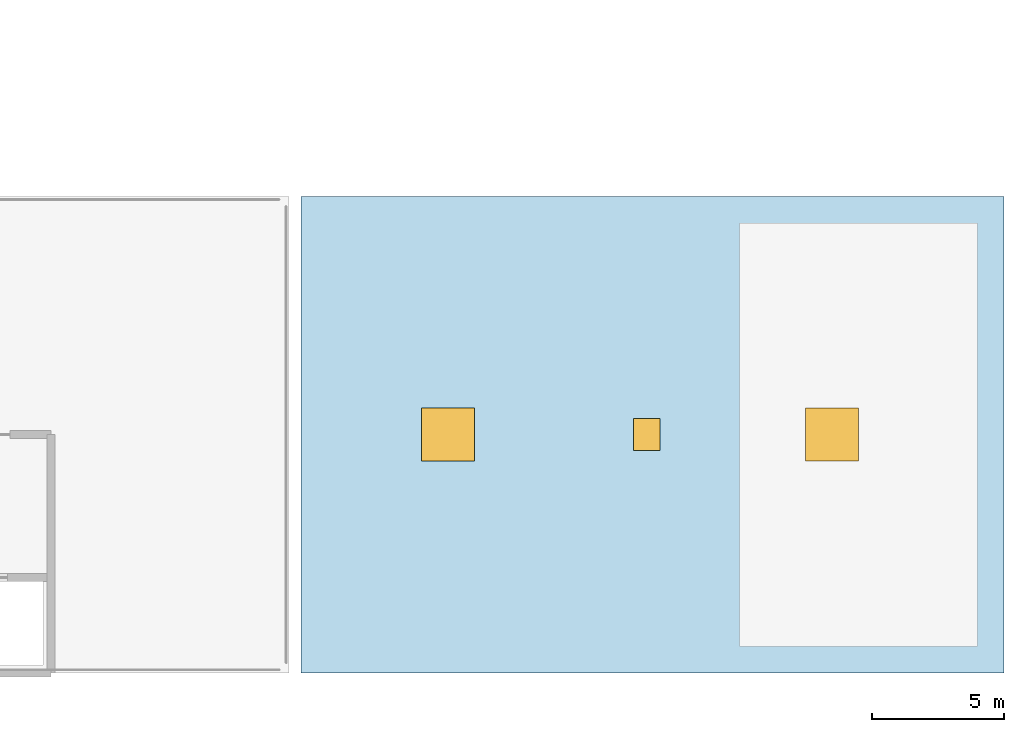
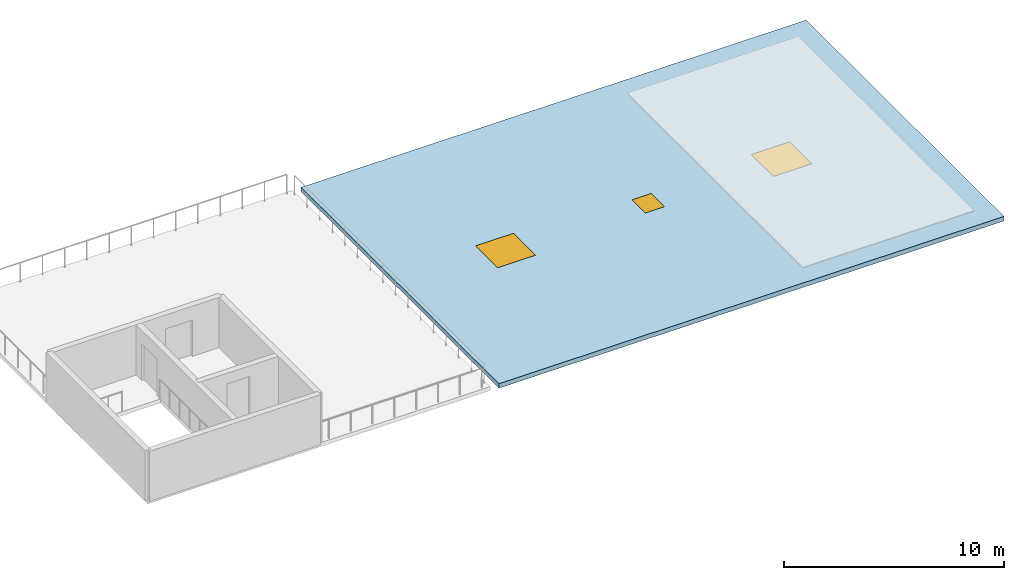
# One storey, part 13 of 30: 2 windows, 1 door, 1 slab, 3 openings.
"""IFC4 building model written with IfcOpenShell, lengths in metres."""

from ifc_helpers import new_model, si_unit, direction, frame, origin, origin_2d, place, context, subcontext, project, spatial, polyline, rectangle, outline, extrude, material, layer, layer_set, type_object, element, fill, save


model = new_model("IFC4")

# Units and contexts
model_context = context("Model", 3, precision=1e-05, world=origin(), true_north=direction((0.0, 1.0)))
body_context = subcontext(model_context, "Body", "Model", "MODEL_VIEW")
ifc_project = project(units=[si_unit("LENGTHUNIT", "METRE"), si_unit("AREAUNIT", "SQUARE_METRE"), si_unit("VOLUMEUNIT", "CUBIC_METRE"), si_unit("PLANEANGLEUNIT", "RADIAN"), si_unit("MASSUNIT", "GRAM", prefix="KILO")], contexts=[model_context])

# Site, building, storey
site_placement = place(None, origin())
site = spatial("IfcSite", under=ifc_project, at=site_placement, CompositionType="ELEMENT")
building_placement = place(site_placement, origin())
building = spatial("IfcBuilding", under=site, at=building_placement, Name="Palais des Congres Ocreval", CompositionType="ELEMENT")
storey_placement = place(building_placement, frame((0.0, 0.0, 14.56005859375)))
storey = spatial("IfcBuildingStorey", under=building, at=storey_placement, Name="L04", CompositionType="ELEMENT", Elevation=14.56005859375)

# Slab, openings, door, windows
ifc_material_1 = material(Name="Concrete C40/50", Category="concrete")
ifc_layer = layer(ifc_material_1, 0.25)
ifc_layer_set = layer_set([ifc_layer], Name="Folded and Crown Roof Deck 250 Concrete C40/50")
slab_type = type_object("IfcSlabType", Name="Folded and Crown Roof Deck 250 Concrete C40/50", PredefinedType="ROOF", material=ifc_layer_set)
slab_placement = place(storey_placement, frame((0.0, 0.0, -0.25)))
slab = element("IfcSlab", 1, at=slab_placement, inside=storey, type_object=slab_type, Name="Commission South Wing Roof Deck", PredefinedType="ROOF", context=body_context, shape_type="SweptSolid", body=[
    extrude(outline(polyline([(126.449951171875, 0.0), (126.449951171875, 18.0), (153.0, 18.0), (153.0, 0.0), (126.449951171875, 0.0)])), origin(), (0.0, 0.0, 1.0), 0.25),
])
opening_1_placement = place(slab_placement, frame((139.5, 9.0, 0.0)))
opening_1 = element("IfcOpeningElement", 2, at=opening_1_placement, cuts=slab, Name="Opening RH01", PredefinedType="OPENING", context=body_context, shape_type="SweptSolid", body=[
    extrude(rectangle(XDim=1.0, YDim=1.199951171875, at=origin_2d()), frame((0.0, 0.0, -0.010009765625), z_axis=(0.0, 0.0, 1.0), x_axis=(1.0, 0.0, 0.0)), (0.0, 0.0, 1.0), 0.27001953125),
])
opening_2_placement = place(slab_placement, frame((146.5, 9.0, 0.0)))
opening_2 = element("IfcOpeningElement", 3, at=opening_2_placement, cuts=slab, Name="Opening SK06", PredefinedType="OPENING", context=body_context, shape_type="SweptSolid", body=[
    extrude(rectangle(XDim=2.0, YDim=2.0, at=origin_2d()), frame((0.0, 0.0, -0.010009765625), z_axis=(0.0, 0.0, 1.0), x_axis=(1.0, 0.0, 0.0)), (0.0, 0.0, 1.0), 0.27001953125),
])
opening_3_placement = place(slab_placement, frame((132.0, 9.0, 0.0)))
opening_3 = element("IfcOpeningElement", 4, at=opening_3_placement, cuts=slab, Name="Opening SK06", PredefinedType="OPENING", context=body_context, shape_type="SweptSolid", body=[
    extrude(rectangle(XDim=2.0, YDim=2.0, at=origin_2d()), frame((0.0, 0.0, -0.010009765625), z_axis=(0.0, 0.0, 1.0), x_axis=(1.0, 0.0, 0.0)), (0.0, 0.0, 1.0), 0.27001953125),
])
ifc_material_2 = material(Name="Galvanized painted steel", Category="steel")
door_type = type_object("IfcDoorType", Name="Insulated Roof Access Hatch 1000x1200", OperationType="NOTDEFINED", PredefinedType="TRAPDOOR", material=ifc_material_2)
door_placement = place(opening_1_placement, frame((0.0, 0.0, 0.199951171875)))
door = element("IfcDoor", 5, at=door_placement, inside=storey, type_object=door_type, Name="Roof Access Hatch RH01 6", OperationType="SINGLE_SWING_LEFT", OverallHeight=1.199951171875, OverallWidth=1.0, PredefinedType="TRAPDOOR", context=body_context, shape_type="SweptSolid", body=[
    extrude(rectangle(XDim=1.0, YDim=1.199951171875, at=origin_2d()), origin(), (0.0, 0.0, 1.0), 0.050048828125),
])
fill(opening_1, door)
ifc_material_3 = material(Name="Anodized bronze aluminium and low-E glass", Category="glass")
window_type = type_object("IfcWindowType", Name="Podium Roof Lantern Skylight 2000x2000", PartitioningType="SINGLE_PANEL", PredefinedType="SKYLIGHT", material=ifc_material_3)
window_1_placement = place(opening_2_placement, frame((0.0, 0.0, 0.199951171875)))
window_1 = element("IfcWindow", 6, at=window_1_placement, inside=storey, type_object=window_type, Name="Roof Skylight SK06 8", OverallHeight=2.0, OverallWidth=2.0, PartitioningType="SINGLE_PANEL", PredefinedType="SKYLIGHT", context=body_context, shape_type="SweptSolid", body=[
    extrude(rectangle(XDim=2.0, YDim=2.0, at=origin_2d()), origin(), (0.0, 0.0, 1.0), 0.050048828125),
])
fill(opening_2, window_1)
window_2_placement = place(opening_3_placement, frame((0.0, 0.0, 0.199951171875)))
window_2 = element("IfcWindow", 7, at=window_2_placement, inside=storey, type_object=window_type, Name="Roof Skylight SK06 12", OverallHeight=2.0, OverallWidth=2.0, PartitioningType="SINGLE_PANEL", PredefinedType="SKYLIGHT", context=body_context, shape_type="SweptSolid", body=[
    extrude(rectangle(XDim=2.0, YDim=2.0, at=origin_2d()), origin(), (0.0, 0.0, 1.0), 0.050048828125),
])
fill(opening_3, window_2)

save(model, "model.ifc")
